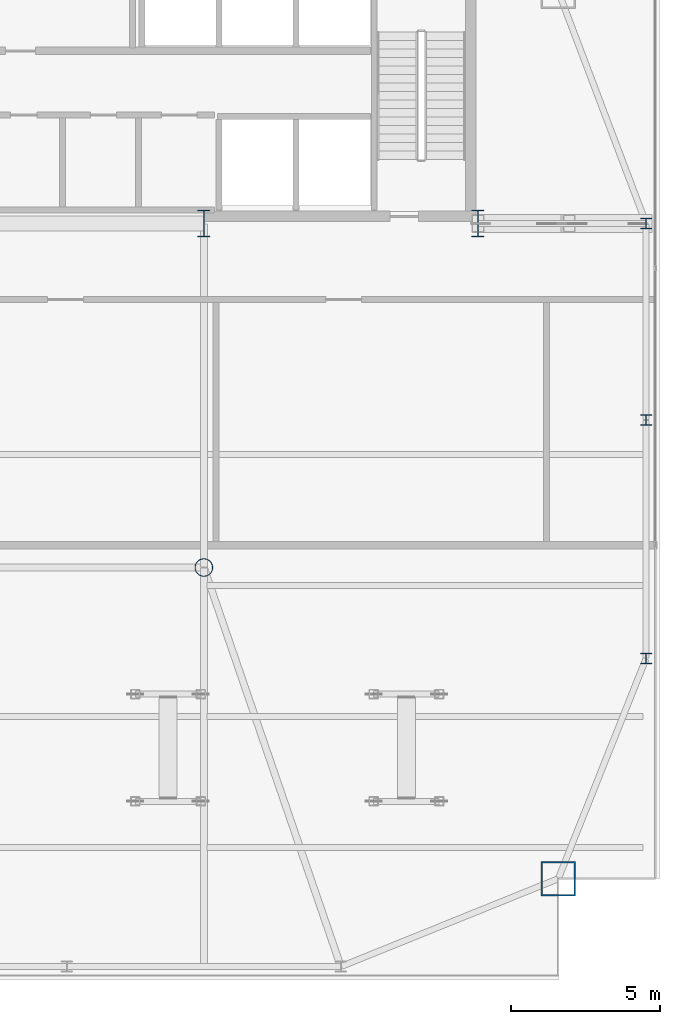
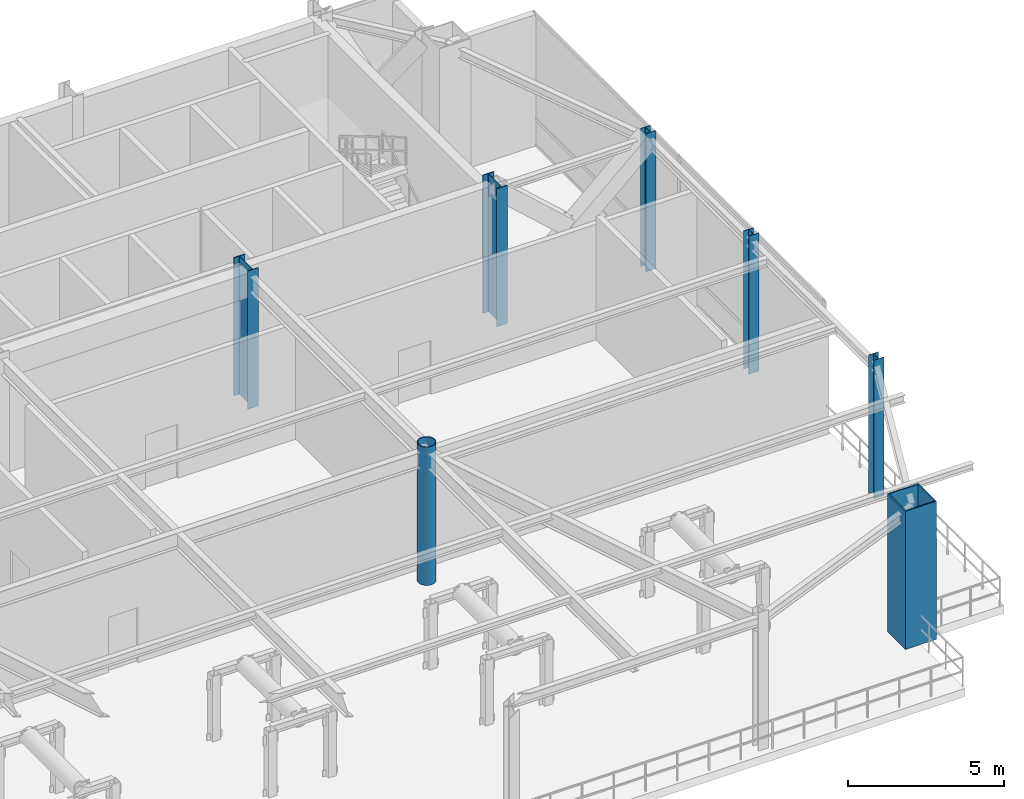
# One storey, part 2 of 21: 7 columns.
"""IFC4 building model written with IfcOpenShell, lengths in metres."""

from ifc_helpers import new_model, si_unit, direction, frame, origin, origin_2d, place, context, subcontext, project, spatial, hollow_rectangle, hollow_circle, i_section, extrude, source, transform, mapped, material, material_profile, profile_set, type_object, type_shapes, element, save


model = new_model("IFC4")

# Units and contexts
model_context = context("Model", 3, precision=1e-05, world=origin(), true_north=direction((0.0, 1.0)))
body_context = subcontext(model_context, "Body", "Model", "MODEL_VIEW")
ifc_project = project(units=[si_unit("LENGTHUNIT", "METRE"), si_unit("AREAUNIT", "SQUARE_METRE"), si_unit("VOLUMEUNIT", "CUBIC_METRE"), si_unit("PLANEANGLEUNIT", "RADIAN"), si_unit("MASSUNIT", "GRAM", prefix="KILO")], contexts=[model_context])

# Site, building, storey
site_placement = place(None, origin())
site = spatial("IfcSite", under=ifc_project, at=site_placement, CompositionType="ELEMENT")
building_placement = place(site_placement, origin())
building = spatial("IfcBuilding", under=site, at=building_placement, Name="Varnel Quay Broadcast Tower", CompositionType="ELEMENT")
storey_placement = place(building_placement, frame((0.0, 0.0, 234.0)))
storey = spatial("IfcBuildingStorey", under=building, at=storey_placement, Name="L58", CompositionType="ELEMENT", Elevation=234.0)

# Columns
ifc_material_1 = material(Name="Structural Steel CSA G40.21 350WT", Category="steel")
ifc_material_profile_1 = material_profile(ifc_material_1, i_section(OverallWidth=0.39990234375, OverallDepth=0.89990234375, WebThickness=0.01611328125, FlangeThickness=0.028076171875, FilletRadius=0.01611328125, at=origin_2d()), Name="WWF900X309")
ifc_profile_set_1 = profile_set([ifc_material_profile_1], Name="Structural Steel CSA G40.21 350WT")
column_type_1 = type_object("IfcColumnType", Name="Col_WWF900X309", PredefinedType="COLUMN", material=ifc_profile_set_1)
shared_shape_1 = source(origin(), body_context, "Body", "SweptSolid", [
    extrude(i_section(OverallWidth=0.39990234375, OverallDepth=0.89990234375, WebThickness=0.01611328125, FlangeThickness=0.028076171875, FilletRadius=0.01611328125, at=origin_2d()), origin(), (0.0, 0.0, 1.0), 5.39990234375),
])
type_shapes(column_type_1, [shared_shape_1])
for number, where, z_axis, x_axis, name in (
    (1, (43.199951171875, 35.60009765625, 0.0), (0.0, 0.0, 1.0), (1.0, 0.0, 0.0), "L58 Column CC-S4"),
    (2, (52.39990234375, 35.60009765625, 0.0), (0.0, 0.0, 1.0), (1.0, 0.0, 0.0), "L58 Column CC-S5"),
):
    element("IfcColumn", number, at=place(storey_placement, frame(where, z_axis=z_axis, x_axis=x_axis)), inside=storey, type_object=column_type_1, Name=name, PredefinedType="COLUMN", context=body_context, shape_type="MappedRepresentation", body=[
        mapped(shared_shape_1, transform((0.0, 0.0, 0.0), x_axis=(1.0, 0.0, 0.0), y_axis=(0.0, 1.0, 0.0), z_axis=(0.0, 0.0, 1.0), scale=1.0)),
    ])
ifc_material_profile_2 = material_profile(ifc_material_1, hollow_rectangle(XDim=1.14990234375, YDim=1.14990234375, WallThickness=0.044921875, at=origin_2d()), Name="BOX1150X1150X45")
ifc_profile_set_2 = profile_set([ifc_material_profile_2], Name="Structural Steel CSA G40.21 350WT")
column_type_2 = type_object("IfcColumnType", Name="Col_BOX1150X1150X45", PredefinedType="COLUMN", material=ifc_profile_set_2)
shared_shape_2 = source(origin(), body_context, "Body", "SweptSolid", [
    extrude(hollow_rectangle(XDim=1.14990234375, YDim=1.14990234375, WallThickness=0.044921875, at=origin_2d()), origin(), (0.0, 0.0, 1.0), 5.39990234375),
])
type_shapes(column_type_2, [shared_shape_2])
column_1_placement = place(storey_placement, frame((55.10009765625, 13.60009765625, 0.0), z_axis=(0.0, 0.0, 1.0), x_axis=(1.0, 0.0, 0.0)))
element("IfcColumn", 3, at=column_1_placement, inside=storey, type_object=column_type_2, Name="L58 Column MC-SE", PredefinedType="COLUMN", context=body_context, shape_type="MappedRepresentation", body=[
    mapped(shared_shape_2, transform((0.0, 0.0, 0.0), x_axis=(1.0, 0.0, 0.0), y_axis=(0.0, 1.0, 0.0), z_axis=(0.0, 0.0, 1.0), scale=1.0)),
])
ifc_material_2 = material(Name="Structural Steel CSA G40.21 350W", Category="steel")
ifc_material_profile_3 = material_profile(ifc_material_2, i_section(OverallWidth=0.368896484375, OverallDepth=0.35595703125, WebThickness=0.01123046875, FlangeThickness=0.01806640625, FilletRadius=0.01611328125, at=origin_2d()), Name="W360X134")
ifc_profile_set_3 = profile_set([ifc_material_profile_3], Name="Structural Steel CSA G40.21 350W")
column_type_3 = type_object("IfcColumnType", Name="Col_W360X134", PredefinedType="COLUMN", material=ifc_profile_set_3)
shared_shape_3 = source(origin(), body_context, "Body", "SweptSolid", [
    extrude(i_section(OverallWidth=0.368896484375, OverallDepth=0.35595703125, WebThickness=0.01123046875, FlangeThickness=0.01806640625, FilletRadius=0.01611328125, at=origin_2d()), origin(), (0.0, 0.0, 1.0), 5.39990234375),
])
type_shapes(column_type_3, [shared_shape_3])
for number, where, z_axis, x_axis, name in (
    (4, (58.050048828125, 21.0, 0.0), (0.0, 0.0, 1.0), (1.0, 0.0, 0.0), "L58 Column TC-E1"),
    (5, (58.050048828125, 29.0, 0.0), (0.0, 0.0, 1.0), (1.0, 0.0, 0.0), "L58 Column TC-E2"),
    (6, (58.050048828125, 35.60009765625, 0.0), (0.0, 0.0, 1.0), (1.0, 0.0, 0.0), "L58 Column TC-E3"),
):
    element("IfcColumn", number, at=place(storey_placement, frame(where, z_axis=z_axis, x_axis=x_axis)), inside=storey, type_object=column_type_3, Name=name, PredefinedType="COLUMN", context=body_context, shape_type="MappedRepresentation", body=[
        mapped(shared_shape_3, transform((0.0, 0.0, 0.0), x_axis=(1.0, 0.0, 0.0), y_axis=(0.0, 1.0, 0.0), z_axis=(0.0, 0.0, 1.0), scale=1.0)),
    ])
ifc_material_profile_4 = material_profile(ifc_material_2, hollow_circle(Radius=0.304931640625, WallThickness=0.02490234375, at=origin_2d()), Name="CHS610X25")
ifc_profile_set_4 = profile_set([ifc_material_profile_4], Name="Structural Steel CSA G40.21 350W")
column_type_4 = type_object("IfcColumnType", Name="Col_CHS610X25", PredefinedType="COLUMN", material=ifc_profile_set_4)
shared_shape_4 = source(origin(), body_context, "Body", "SweptSolid", [
    extrude(hollow_circle(Radius=0.304931640625, WallThickness=0.02490234375, at=origin_2d()), origin(), (0.0, 0.0, 1.0), 5.39990234375),
])
type_shapes(column_type_4, [shared_shape_4])
column_2_placement = place(storey_placement, frame((43.199951171875, 24.050048828125, 0.0), z_axis=(0.0, 0.0, 1.0), x_axis=(1.0, 0.0, 0.0)))
element("IfcColumn", 7, at=column_2_placement, inside=storey, type_object=column_type_4, Name="L58 Column IC-02", PredefinedType="COLUMN", context=body_context, shape_type="MappedRepresentation", body=[
    mapped(shared_shape_4, transform((0.0, 0.0, 0.0), x_axis=(1.0, 0.0, 0.0), y_axis=(0.0, 1.0, 0.0), z_axis=(0.0, 0.0, 1.0), scale=1.0)),
])

save(model, "model.ifc")
